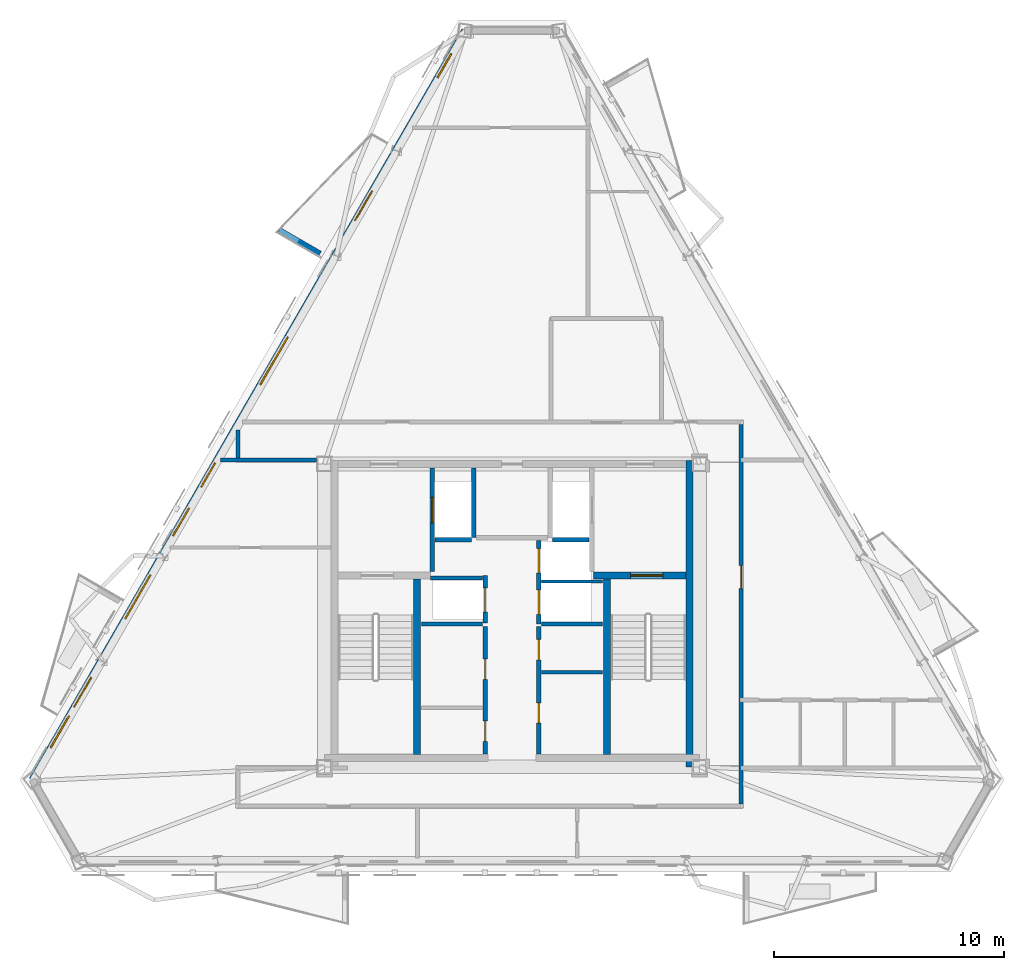
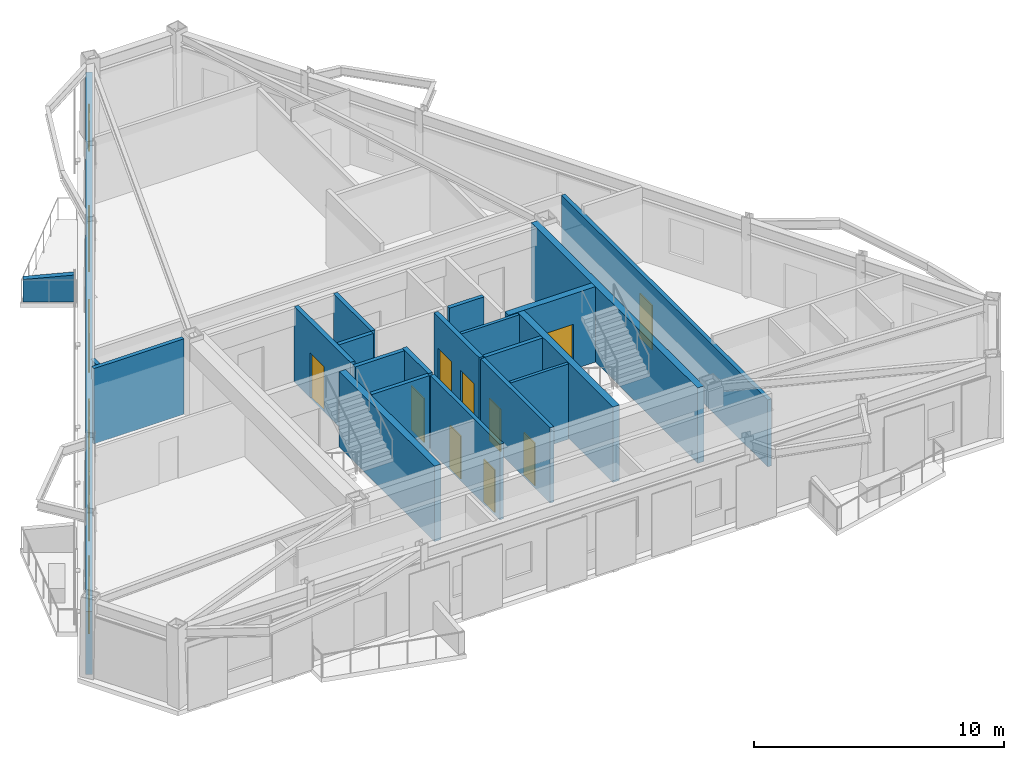
# One storey, part 3 of 9: 22 walls, 12 doors, 6 windows, 18 openings.
"""IFC4 building model written with IfcOpenShell, lengths in metres."""

from ifc_helpers import new_model, si_unit, direction, frame, frame_2d, origin, place, context, subcontext, project, spatial, polyline, rectangle, outline, extrude, material, layer, layer_set, type_object, element, fill, save


model = new_model("IFC4")

# Units and contexts
model_context = context("Model", 3, precision=1e-05, world=origin(), true_north=direction((0.0, 1.0)))
body_context = subcontext(model_context, "Body", "Model", "MODEL_VIEW")
ifc_project = project(units=[si_unit("LENGTHUNIT", "METRE"), si_unit("AREAUNIT", "SQUARE_METRE"), si_unit("VOLUMEUNIT", "CUBIC_METRE"), si_unit("PLANEANGLEUNIT", "RADIAN"), si_unit("MASSUNIT", "GRAM", prefix="KILO")], contexts=[model_context])

# Site, building, storey
site_placement = place(None, origin())
site = spatial("IfcSite", under=ifc_project, at=site_placement, CompositionType="ELEMENT")
building_placement = place(site_placement, origin())
building = spatial("IfcBuilding", under=site, at=building_placement, Name="Oramaril Tower", CompositionType="ELEMENT")
storey_placement = place(building_placement, frame((0.0, 0.0, 292.800048828125)))
storey = spatial("IfcBuildingStorey", under=building, at=storey_placement, Name="L77", CompositionType="ELEMENT", Elevation=292.800048828125)

# Wall, openings, doors, windows
ifc_material_1 = material(Name="Warm Cream Limestone", Category="masonry")
ifc_layer_1 = layer(ifc_material_1, 0.2900390625)
ifc_layer_set_1 = layer_set([ifc_layer_1], Name="WT-EXT29")
wall_type_1 = type_object("IfcWallType", Name="WT-EXT29", PredefinedType="SOLIDWALL", material=ifc_layer_set_1)
wall_1_placement = place(storey_placement, frame((35.44775390625, 42.97607421875, 0.0), z_axis=(0.0, 0.0, 1.0), x_axis=(-0.499999767403, -0.866025538074, 0.0)))
wall_1 = element("IfcWall", 1, at=wall_1_placement, inside=storey, type_object=wall_type_1, Name="L77 Tower Limestone Facade Wall 6M", PredefinedType="SOLIDWALL", context=body_context, shape_type="SweptSolid", body=[
    extrude(rectangle(XDim=37.5703125, YDim=0.2900390625, at=frame_2d((18.78515625, 0.0))), origin(), (0.0, 0.0, 1.0), 3.057861328125),
])
opening_1_placement = place(wall_1_placement, frame((8.034423828125, 0.0, 0.0)))
opening_1 = element("IfcOpeningElement", 2, at=opening_1_placement, cuts=wall_1, Name="Opening D-L77-BAL-NW1", PredefinedType="OPENING", context=body_context, shape_type="SweptSolid", body=[
    extrude(rectangle(XDim=1.5, YDim=2.199951171875, at=frame_2d((0.75, 1.10009765625))), frame((0.0, 0.14501953125, 0.0), z_axis=(0.0, -1.0, 0.0), x_axis=(1.0, 0.0, 0.0)), (0.0, 0.0, 1.0), 0.2900390625),
])
opening_2_placement = place(wall_1_placement, frame((32.430908203125, 0.0, 0.0)))
opening_2 = element("IfcOpeningElement", 3, at=opening_2_placement, cuts=wall_1, Name="Opening D-L77-BAL-NW2", PredefinedType="OPENING", context=body_context, shape_type="SweptSolid", body=[
    extrude(rectangle(XDim=1.5, YDim=2.199951171875, at=frame_2d((0.75, 1.10009765625))), frame((0.0, 0.14501953125, 0.0), z_axis=(0.0, -1.0, 0.0), x_axis=(1.0, 0.0, 0.0)), (0.0, 0.0, 1.0), 0.2900390625),
])
opening_3_placement = place(wall_1_placement, frame((27.302001953125, 0.0, 0.85009765625)))
opening_3 = element("IfcOpeningElement", 4, at=opening_3_placement, cuts=wall_1, Name="Opening WN-04", PredefinedType="OPENING", context=body_context, shape_type="SweptSolid", body=[
    extrude(rectangle(XDim=2.199951171875, YDim=1.85009765625, at=frame_2d((1.10009765625, 0.925048828125))), frame((0.0, 0.14501953125, 0.0), z_axis=(0.0, -1.0, 0.0), x_axis=(1.0, 0.0, 0.0)), (0.0, 0.0, 1.0), 0.2900390625),
])
opening_4_placement = place(wall_1_placement, frame((34.36669921875, 0.0, 0.85009765625)))
opening_4 = element("IfcOpeningElement", 5, at=opening_4_placement, cuts=wall_1, Name="Opening WN-07", PredefinedType="OPENING", context=body_context, shape_type="SweptSolid", body=[
    extrude(rectangle(XDim=1.60009765625, YDim=1.699951171875, at=frame_2d((0.800048828125, 0.85009765625))), frame((0.0, 0.14501953125, 0.0), z_axis=(0.0, -1.0, 0.0), x_axis=(1.0, 0.0, 0.0)), (0.0, 0.0, 1.0), 0.2900390625),
])
opening_5_placement = place(wall_1_placement, frame((21.687744140625, 0.0, 0.85009765625)))
opening_5 = element("IfcOpeningElement", 6, at=opening_5_placement, cuts=wall_1, Name="Opening WN-09", PredefinedType="OPENING", context=body_context, shape_type="SweptSolid", body=[
    extrude(rectangle(XDim=1.199951171875, YDim=1.47998046875, at=frame_2d((0.60009765625, 0.739990234375))), frame((0.0, 0.14501953125, 0.0), z_axis=(0.0, -1.0, 0.0), x_axis=(1.0, 0.0, 0.0)), (0.0, 0.0, 1.0), 0.2900390625),
])
opening_6_placement = place(wall_1_placement, frame((23.938232421875, 0.0, 0.85009765625)))
opening_6 = element("IfcOpeningElement", 7, at=opening_6_placement, cuts=wall_1, Name="Opening WN-08", PredefinedType="OPENING", context=body_context, shape_type="SweptSolid", body=[
    extrude(rectangle(XDim=1.39990234375, YDim=1.60009765625, at=frame_2d((0.699951171875, 0.800048828125))), frame((0.0, 0.14501953125, 0.0), z_axis=(0.0, -1.0, 0.0), x_axis=(1.0, 0.0, 0.0)), (0.0, 0.0, 1.0), 0.2900390625),
])
opening_7_placement = place(wall_1_placement, frame((15.36279296875, 0.0, 0.85009765625)))
opening_7 = element("IfcOpeningElement", 8, at=opening_7_placement, cuts=wall_1, Name="Opening WN-03", PredefinedType="OPENING", context=body_context, shape_type="SweptSolid", body=[
    extrude(rectangle(XDim=2.39990234375, YDim=1.89990234375, at=frame_2d((1.199951171875, 0.949951171875))), frame((0.0, 0.14501953125, 0.0), z_axis=(0.0, -1.0, 0.0), x_axis=(1.0, 0.0, 0.0)), (0.0, 0.0, 1.0), 0.2900390625),
])
opening_8_placement = place(wall_1_placement, frame((1.1650390625, 0.0, 0.85009765625)))
opening_8 = element("IfcOpeningElement", 9, at=opening_8_placement, cuts=wall_1, Name="Opening WN-09", PredefinedType="OPENING", context=body_context, shape_type="SweptSolid", body=[
    extrude(rectangle(XDim=1.199951171875, YDim=1.47998046875, at=frame_2d((0.60009765625, 0.739990234375))), frame((0.0, 0.14501953125, 0.0), z_axis=(0.0, -1.0, 0.0), x_axis=(1.0, 0.0, 0.0)), (0.0, 0.0, 1.0), 0.2900390625),
])
ifc_material_2 = material(Name="Anodised Aluminium 6063-T6", Category="aluminium")
door_type_1 = type_object("IfcDoorType", Name="DT-BAL", OperationType="NOTDEFINED", PredefinedType="DOOR", material=ifc_material_2)
door_1_placement = place(opening_1_placement, origin())
door_1 = element("IfcDoor", 10, at=door_1_placement, inside=storey, type_object=door_type_1, Name="L77 Balcony Glazed Door L77-BAL-NW1", OperationType="SINGLE_SWING_RIGHT", OverallHeight=2.199951171875, OverallWidth=1.5, PredefinedType="DOOR", context=body_context, shape_type="SweptSolid", body=[
    extrude(rectangle(XDim=1.5, YDim=2.199951171875, at=frame_2d((0.75, 1.10009765625))), frame((0.0, 0.02490234375, 0.0), z_axis=(0.0, -1.0, 0.0), x_axis=(1.0, 0.0, 0.0)), (0.0, 0.0, 1.0), 0.050048828125),
])
fill(opening_1, door_1)
door_2_placement = place(opening_2_placement, origin())
door_2 = element("IfcDoor", 11, at=door_2_placement, inside=storey, type_object=door_type_1, Name="L77 Balcony Glazed Door L77-BAL-NW2", OperationType="SINGLE_SWING_LEFT", OverallHeight=2.199951171875, OverallWidth=1.5, PredefinedType="DOOR", context=body_context, shape_type="SweptSolid", body=[
    extrude(rectangle(XDim=1.5, YDim=2.199951171875, at=frame_2d((0.75, 1.10009765625))), frame((0.0, 0.02490234375, 0.0), z_axis=(0.0, -1.0, 0.0), x_axis=(1.0, 0.0, 0.0)), (0.0, 0.0, 1.0), 0.050048828125),
])
fill(opening_2, door_2)
ifc_material_3 = material(Name="Coastal Low-E Insulated Glass", Category="glass")
window_type_1 = type_object("IfcWindowType", Name="WNT-03", PartitioningType="SINGLE_PANEL", PredefinedType="WINDOW", material=ifc_material_3)
window_1_placement = place(opening_7_placement, origin())
window_1 = element("IfcWindow", 12, at=window_1_placement, inside=storey, type_object=window_type_1, Name="L77 Chicago Bay Window WN-03", OverallHeight=1.89990234375, OverallWidth=2.39990234375, PartitioningType="SINGLE_PANEL", PredefinedType="WINDOW", context=body_context, shape_type="SweptSolid", body=[
    extrude(rectangle(XDim=2.39990234375, YDim=1.89990234375, at=frame_2d((1.199951171875, 0.949951171875))), frame((0.0, 0.030029296875, 0.0), z_axis=(0.0, -1.0, 0.0), x_axis=(1.0, 0.0, 0.0)), (0.0, 0.0, 1.0), 0.06005859375),
])
fill(opening_7, window_1)
ifc_material_4 = material(Name="Coastal Low-E Insulated Glass", Category="glass")
window_type_2 = type_object("IfcWindowType", Name="WNT-04", PartitioningType="SINGLE_PANEL", PredefinedType="WINDOW", material=ifc_material_4)
window_2_placement = place(opening_3_placement, origin())
window_2 = element("IfcWindow", 13, at=window_2_placement, inside=storey, type_object=window_type_2, Name="L77 Chicago Bay Window WN-04", OverallHeight=1.85009765625, OverallWidth=2.199951171875, PartitioningType="SINGLE_PANEL", PredefinedType="WINDOW", context=body_context, shape_type="SweptSolid", body=[
    extrude(rectangle(XDim=2.199951171875, YDim=1.85009765625, at=frame_2d((1.10009765625, 0.925048828125))), frame((0.0, 0.030029296875, 0.0), z_axis=(0.0, -1.0, 0.0), x_axis=(1.0, 0.0, 0.0)), (0.0, 0.0, 1.0), 0.06005859375),
])
fill(opening_3, window_2)
ifc_material_5 = material(Name="Coastal Low-E Insulated Glass", Category="glass")
window_type_3 = type_object("IfcWindowType", Name="WNT-07", PartitioningType="SINGLE_PANEL", PredefinedType="WINDOW", material=ifc_material_5)
window_3_placement = place(opening_4_placement, origin())
window_3 = element("IfcWindow", 14, at=window_3_placement, inside=storey, type_object=window_type_3, Name="L77 Chicago Bay Window WN-07", OverallHeight=1.699951171875, OverallWidth=1.60009765625, PartitioningType="SINGLE_PANEL", PredefinedType="WINDOW", context=body_context, shape_type="SweptSolid", body=[
    extrude(rectangle(XDim=1.60009765625, YDim=1.699951171875, at=frame_2d((0.800048828125, 0.85009765625))), frame((0.0, 0.030029296875, 0.0), z_axis=(0.0, -1.0, 0.0), x_axis=(1.0, 0.0, 0.0)), (0.0, 0.0, 1.0), 0.06005859375),
])
fill(opening_4, window_3)
ifc_material_6 = material(Name="Coastal Low-E Insulated Glass", Category="glass")
window_type_4 = type_object("IfcWindowType", Name="WNT-08", PartitioningType="SINGLE_PANEL", PredefinedType="WINDOW", material=ifc_material_6)
window_4_placement = place(opening_6_placement, origin())
window_4 = element("IfcWindow", 15, at=window_4_placement, inside=storey, type_object=window_type_4, Name="L77 Chicago Bay Window WN-08", OverallHeight=1.60009765625, OverallWidth=1.39990234375, PartitioningType="SINGLE_PANEL", PredefinedType="WINDOW", context=body_context, shape_type="SweptSolid", body=[
    extrude(rectangle(XDim=1.39990234375, YDim=1.60009765625, at=frame_2d((0.699951171875, 0.800048828125))), frame((0.0, 0.030029296875, 0.0), z_axis=(0.0, -1.0, 0.0), x_axis=(1.0, 0.0, 0.0)), (0.0, 0.0, 1.0), 0.06005859375),
])
fill(opening_6, window_4)
ifc_material_7 = material(Name="Coastal Low-E Insulated Glass", Category="glass")
window_type_5 = type_object("IfcWindowType", Name="WNT-09", PartitioningType="SINGLE_PANEL", PredefinedType="WINDOW", material=ifc_material_7)
window_5_placement = place(opening_5_placement, origin())
window_5 = element("IfcWindow", 16, at=window_5_placement, inside=storey, type_object=window_type_5, Name="L77 Chicago Bay Window WN-09", OverallHeight=1.47998046875, OverallWidth=1.199951171875, PartitioningType="SINGLE_PANEL", PredefinedType="WINDOW", context=body_context, shape_type="SweptSolid", body=[
    extrude(rectangle(XDim=1.199951171875, YDim=1.47998046875, at=frame_2d((0.60009765625, 0.739990234375))), frame((0.0, 0.030029296875, 0.0), z_axis=(0.0, -1.0, 0.0), x_axis=(1.0, 0.0, 0.0)), (0.0, 0.0, 1.0), 0.06005859375),
])
fill(opening_5, window_5)
window_6_placement = place(opening_8_placement, origin())
window_6 = element("IfcWindow", 17, at=window_6_placement, inside=storey, type_object=window_type_5, Name="L77 Chicago Bay Window WN-09", OverallHeight=1.47998046875, OverallWidth=1.199951171875, PartitioningType="SINGLE_PANEL", PredefinedType="WINDOW", context=body_context, shape_type="SweptSolid", body=[
    extrude(rectangle(XDim=1.199951171875, YDim=1.47998046875, at=frame_2d((0.60009765625, 0.739990234375))), frame((0.0, 0.030029296875, 0.0), z_axis=(0.0, -1.0, 0.0), x_axis=(1.0, 0.0, 0.0)), (0.0, 0.0, 1.0), 0.06005859375),
])
fill(opening_8, window_6)

# Walls
ifc_material_8 = material(Name="Concrete C40/50", Category="concrete")
ifc_layer_2 = layer(ifc_material_8, 0.22998046875)
ifc_layer_set_2 = layer_set([ifc_layer_2], Name="WT-PRP23")
wall_type_2 = type_object("IfcWallType", Name="WT-PRP23", PredefinedType="PARAPET", material=ifc_layer_set_2)
wall_2_placement = place(storey_placement, frame((29.1650390625, 33.290283203125, 0.0), z_axis=(0.0, 0.0, 1.0), x_axis=(-0.866012356593, 0.500022597718, 0.0)))
element("IfcWall", 18, at=wall_2_placement, inside=storey, type_object=wall_type_2, Name="L77 Trapezoidal Balcony Frame Cheek L77-BAL-NW1-R", PredefinedType="PARAPET", context=body_context, shape_type="SweptSolid", body=[
    extrude(outline(polyline([(0.0, 0.0), (2.0419921875, 0.0), (2.0419921875, 1.099853515625), (0.0, 1.320068359375), (0.0, 0.0)])), frame((0.0, 0.114990234375, 0.0), z_axis=(0.0, -1.0, 0.0), x_axis=(1.0, 0.0, 0.0)), (0.0, 0.0, 1.0), 0.22998046875),
])
ifc_material_9 = material(Name="Acoustic Gypsum Board Partition")
ifc_layer_3 = layer(ifc_material_9, 0.139892578125)
ifc_layer_set_3 = layer_set([ifc_layer_3], Name="WT-PT14")
wall_type_3 = type_object("IfcWallType", Name="WT-PT14", PredefinedType="PARTITIONING", material=ifc_layer_set_3)
for number, where, z_axis, x_axis, name in (
    (19, (38.780029296875, 19.050048828125, 0.0), (0.0, 0.0, 1.0), (1.0, 0.0, 0.0), "L77 High-Rise Lift H2-H3 Divider"),
    (20, (38.780029296875, 15.110107421875, 0.0), (0.0, 0.0, 1.0), (1.0, 0.0, 0.0), "L77 Freed Shaft Divider"),
):
    element("IfcWall", number, at=place(storey_placement, frame(where, z_axis=z_axis, x_axis=x_axis)), inside=storey, type_object=wall_type_3, Name=name, PredefinedType="PARTITIONING", context=body_context, shape_type="SweptSolid", body=[
        extrude(rectangle(XDim=2.659912109375, YDim=0.139892578125, at=frame_2d((1.330078125, 0.0))), origin(), (0.0, 0.0, 1.0), 3.679931640625),
    ])
ifc_material_10 = material(Name="Autoclaved Cellular Concrete Block", Category="concrete")
ifc_layer_4 = layer(ifc_material_10, 0.179931640625)
ifc_layer_set_4 = layer_set([ifc_layer_4], Name="WT-PT18")
wall_type_4 = type_object("IfcWallType", Name="WT-PT18", PredefinedType="PARTITIONING", material=ifc_layer_set_4)
wall_3_placement = place(storey_placement, frame((35.840087890625, 20.9599609375, 0.0), z_axis=(0.0, 0.0, 1.0), x_axis=(0.0, 1.0, 0.0)))
element("IfcWall", 21, at=wall_3_placement, inside=storey, type_object=wall_type_4, Name="L77 FL-1 East Shaft Wall", PredefinedType="PARTITIONING", context=body_context, shape_type="SweptSolid", body=[
    extrude(rectangle(XDim=3.02001953125, YDim=0.179931640625, at=frame_2d((1.510009765625, 0.0))), origin(), (0.0, 0.0, 1.0), 3.679931640625),
])
for number, where, z_axis, x_axis, name in (
    (22, (34.159912109375, 20.860107421875, 0.0), (0.0, 0.0, 1.0), (1.0, 0.0, 0.0), "L77 FL-1 South Shaft Wall"),
    (23, (39.260009765625, 20.860107421875, 0.0), (0.0, 0.0, 1.0), (1.0, 0.0, 0.0), "L77 FL-2 South Shaft Wall"),
):
    element("IfcWall", number, at=place(storey_placement, frame(where, z_axis=z_axis, x_axis=x_axis)), inside=storey, type_object=wall_type_4, Name=name, PredefinedType="PARTITIONING", context=body_context, shape_type="SweptSolid", body=[
        extrude(rectangle(XDim=1.580078125, YDim=0.179931640625, at=frame_2d((0.7900390625, 0.0))), origin(), (0.0, 0.0, 1.0), 3.679931640625),
    ])
wall_4_placement = place(storey_placement, frame((33.949951171875, 19.199951171875, 0.0), z_axis=(0.0, 0.0, 1.0), x_axis=(1.0, 0.0, 0.0)))
element("IfcWall", 24, at=wall_4_placement, inside=storey, type_object=wall_type_4, Name="L77 High-Rise Lift H1 North Shaft Wall", PredefinedType="PARTITIONING", context=body_context, shape_type="SweptSolid", body=[
    extrude(rectangle(XDim=2.27001953125, YDim=0.179931640625, at=frame_2d((1.135009765625, 0.0))), origin(), (0.0, 0.0, 1.0), 3.679931640625),
])
wall_5_placement = place(storey_placement, frame((33.56005859375, 17.199951171875, 0.0), z_axis=(0.0, 0.0, 1.0), x_axis=(1.0, 0.0, 0.0)))
element("IfcWall", 25, at=wall_5_placement, inside=storey, type_object=wall_type_4, Name="L77 High-Rise Lift H1 South Wall", PredefinedType="PARTITIONING", context=body_context, shape_type="SweptSolid", body=[
    extrude(rectangle(XDim=2.659912109375, YDim=0.179931640625, at=frame_2d((1.330078125, 0.0))), origin(), (0.0, 0.0, 1.0), 3.679931640625),
])

# Wall, openings, doors
wall_6_placement = place(storey_placement, frame((36.340087890625, 11.550048828125, 0.0), z_axis=(0.0, 0.0, 1.0), x_axis=(0.0, 1.0, 0.0)))
wall_6 = element("IfcWall", 26, at=wall_6_placement, inside=storey, type_object=wall_type_4, Name="L77 Freed Shaft Study East Wall", PredefinedType="PARTITIONING", context=body_context, shape_type="SweptSolid", body=[
    extrude(rectangle(XDim=5.550048828125, YDim=0.179931640625, at=frame_2d((2.77490234375, 0.0))), origin(), (0.0, 0.0, 1.0), 3.679931640625),
])
opening_9_placement = place(wall_6_placement, frame((0.550048828125, 0.0, 0.0)))
opening_9 = element("IfcOpeningElement", 27, at=opening_9_placement, cuts=wall_6, Name="Opening D-L77-FL1", PredefinedType="OPENING", context=body_context, shape_type="SweptSolid", body=[
    extrude(rectangle(XDim=0.8798828125, YDim=2.080078125, at=frame_2d((0.43994140625, 1.0400390625))), frame((0.0, 0.08984375, 0.0), z_axis=(0.0, -1.0, 0.0), x_axis=(1.0, 0.0, 0.0)), (0.0, 0.0, 1.0), 0.179931640625),
])
opening_10_placement = place(wall_6_placement, frame((3.25, 0.0, 0.0)))
opening_10 = element("IfcOpeningElement", 28, at=opening_10_placement, cuts=wall_6, Name="Opening D-L77-FL2", PredefinedType="OPENING", context=body_context, shape_type="SweptSolid", body=[
    extrude(rectangle(XDim=0.8798828125, YDim=2.080078125, at=frame_2d((0.43994140625, 1.0400390625))), frame((0.0, 0.08984375, 0.0), z_axis=(0.0, -1.0, 0.0), x_axis=(1.0, 0.0, 0.0)), (0.0, 0.0, 1.0), 0.179931640625),
])
ifc_material_11 = material(Name="FSC Brazilian Freijo Hardwood", Category="wood")
door_type_2 = type_object("IfcDoorType", Name="DT-BATH", OperationType="NOTDEFINED", PredefinedType="DOOR", material=ifc_material_11)
door_3_placement = place(opening_9_placement, origin())
door_3 = element("IfcDoor", 29, at=door_3_placement, inside=storey, type_object=door_type_2, Name="L77 L77 Residents Tasting Dining Nook Door", OperationType="SINGLE_SWING_LEFT", OverallHeight=2.080078125, OverallWidth=0.8798828125, PredefinedType="DOOR", context=body_context, shape_type="SweptSolid", body=[
    extrude(rectangle(XDim=0.8798828125, YDim=2.080078125, at=frame_2d((0.43994140625, 1.0400390625))), frame((0.0, 0.02490234375, 0.0), z_axis=(0.0, -1.0, 0.0), x_axis=(1.0, 0.0, 0.0)), (0.0, 0.0, 1.0), 0.050048828125),
])
fill(opening_9, door_3)
door_4_placement = place(opening_10_placement, origin())
door_4 = element("IfcDoor", 30, at=door_4_placement, inside=storey, type_object=door_type_2, Name="L77 L77 Floor Co-Work Office Door", OperationType="SINGLE_SWING_RIGHT", OverallHeight=2.080078125, OverallWidth=0.8798828125, PredefinedType="DOOR", context=body_context, shape_type="SweptSolid", body=[
    extrude(rectangle(XDim=0.8798828125, YDim=2.080078125, at=frame_2d((0.43994140625, 1.0400390625))), frame((0.0, 0.02490234375, 0.0), z_axis=(0.0, -1.0, 0.0), x_axis=(1.0, 0.0, 0.0)), (0.0, 0.0, 1.0), 0.050048828125),
])
fill(opening_10, door_4)

# Wall
wall_7_placement = place(storey_placement, frame((38.780029296875, 17.199951171875, 0.0), z_axis=(0.0, 0.0, 1.0), x_axis=(1.0, 0.0, 0.0)))
element("IfcWall", 31, at=wall_7_placement, inside=storey, type_object=wall_type_4, Name="L77 High-Rise Lift H2 South Wall", PredefinedType="PARTITIONING", context=body_context, shape_type="SweptSolid", body=[
    extrude(rectangle(XDim=2.659912109375, YDim=0.179931640625, at=frame_2d((1.330078125, 0.0))), origin(), (0.0, 0.0, 1.0), 3.679931640625),
])

# Wall, openings, doors
wall_8_placement = place(storey_placement, frame((38.659912109375, 11.550048828125, 0.0), z_axis=(0.0, 0.0, 1.0), x_axis=(0.0, 1.0, 0.0)))
wall_8 = element("IfcWall", 32, at=wall_8_placement, inside=storey, type_object=wall_type_4, Name="L77 Freed Shaft Alcove West Wall", PredefinedType="PARTITIONING", context=body_context, shape_type="SweptSolid", body=[
    extrude(rectangle(XDim=5.550048828125, YDim=0.179931640625, at=frame_2d((2.77490234375, 0.0))), origin(), (0.0, 0.0, 1.0), 3.679931640625),
])
opening_11_placement = place(wall_8_placement, frame((1.35009765625, 0.0, 0.0)))
opening_11 = element("IfcOpeningElement", 33, at=opening_11_placement, cuts=wall_8, Name="Opening D-L77-FM1", PredefinedType="OPENING", context=body_context, shape_type="SweptSolid", body=[
    extrude(rectangle(XDim=0.8798828125, YDim=2.080078125, at=frame_2d((0.43994140625, 1.0400390625))), frame((0.0, 0.08984375, 0.0), z_axis=(0.0, -1.0, 0.0), x_axis=(1.0, 0.0, 0.0)), (0.0, 0.0, 1.0), 0.179931640625),
])
opening_12_placement = place(wall_8_placement, frame((4.10009765625, 0.0, 0.0)))
opening_12 = element("IfcOpeningElement", 34, at=opening_12_placement, cuts=wall_8, Name="Opening D-L77-FM2", PredefinedType="OPENING", context=body_context, shape_type="SweptSolid", body=[
    extrude(rectangle(XDim=0.8798828125, YDim=2.080078125, at=frame_2d((0.43994140625, 1.0400390625))), frame((0.0, 0.08984375, 0.0), z_axis=(0.0, -1.0, 0.0), x_axis=(1.0, 0.0, 0.0)), (0.0, 0.0, 1.0), 0.179931640625),
])
door_5_placement = place(opening_11_placement, origin())
door_5 = element("IfcDoor", 35, at=door_5_placement, inside=storey, type_object=door_type_2, Name="L77 L77 Private Home Office Door", OperationType="SINGLE_SWING_RIGHT", OverallHeight=2.080078125, OverallWidth=0.8798828125, PredefinedType="DOOR", context=body_context, shape_type="SweptSolid", body=[
    extrude(rectangle(XDim=0.8798828125, YDim=2.080078125, at=frame_2d((0.43994140625, 1.0400390625))), frame((0.0, 0.02490234375, 0.0), z_axis=(0.0, -1.0, 0.0), x_axis=(1.0, 0.0, 0.0)), (0.0, 0.0, 1.0), 0.050048828125),
])
fill(opening_11, door_5)
door_6_placement = place(opening_12_placement, origin())
door_6 = element("IfcDoor", 36, at=door_6_placement, inside=storey, type_object=door_type_2, Name="L77 L77 Sky Tea Dining Alcove Door", OperationType="SINGLE_SWING_LEFT", OverallHeight=2.080078125, OverallWidth=0.8798828125, PredefinedType="DOOR", context=body_context, shape_type="SweptSolid", body=[
    extrude(rectangle(XDim=0.8798828125, YDim=2.080078125, at=frame_2d((0.43994140625, 1.0400390625))), frame((0.0, 0.02490234375, 0.0), z_axis=(0.0, -1.0, 0.0), x_axis=(1.0, 0.0, 0.0)), (0.0, 0.0, 1.0), 0.050048828125),
])
fill(opening_12, door_6)

# Walls
wall_9_placement = place(storey_placement, frame((24.8486328125, 24.320068359375, 0.0), z_axis=(0.0, 0.0, 1.0), x_axis=(1.0, 0.0, 0.0)))
element("IfcWall", 37, at=wall_9_placement, inside=storey, type_object=wall_type_4, Name="L77 Interior Partition PT-18", PredefinedType="PARTITIONING", context=body_context, shape_type="SweptSolid", body=[
    extrude(rectangle(XDim=4.161376953125, YDim=0.179931640625, at=frame_2d((2.08056640625, 0.0))), origin(), (0.0, 0.0, 1.0), 3.679931640625),
])
wall_10_placement = place(storey_placement, frame((25.60009765625, 24.4140625, 0.0), z_axis=(0.0, 0.0, 1.0), x_axis=(0.0, 1.0, 0.0)))
element("IfcWall", 38, at=wall_10_placement, inside=storey, type_object=wall_type_4, Name="L77 Interior Partition PT-18", PredefinedType="PARTITIONING", context=body_context, shape_type="SweptSolid", body=[
    extrude(rectangle(XDim=1.207275390625, YDim=0.179931640625, at=frame_2d((0.603515625, 0.0))), origin(), (0.0, 0.0, 1.0), 3.057861328125),
])

# Wall, opening, door
wall_11_placement = place(storey_placement, frame((47.449951171875, 9.39404296875, 0.0), z_axis=(0.0, 0.0, 1.0), x_axis=(0.0, 1.0, 0.0)))
wall_11 = element("IfcWall", 39, at=wall_11_placement, inside=storey, type_object=wall_type_4, Name="L77 Interior Partition PT-18", PredefinedType="PARTITIONING", context=body_context, shape_type="SweptSolid", body=[
    extrude(rectangle(XDim=16.48193359375, YDim=0.179931640625, at=frame_2d((8.240966796875, 0.0))), origin(), (0.0, 0.0, 1.0), 3.265869140625),
])
opening_13_placement = place(wall_11_placement, frame((9.343017578125, 0.0, 0.0)))
opening_13 = element("IfcOpeningElement", 40, at=opening_13_placement, cuts=wall_11, Name="Opening D-L77-14", PredefinedType="OPENING", context=body_context, shape_type="SweptSolid", body=[
    extrude(rectangle(XDim=1.0, YDim=2.179931640625, at=frame_2d((0.5, 1.08984375))), frame((0.0, 0.08984375, 0.0), z_axis=(0.0, -1.0, 0.0), x_axis=(1.0, 0.0, 0.0)), (0.0, 0.0, 1.0), 0.179931640625),
])
ifc_material_12 = material(Name="FSC Brazilian Freijo Hardwood", Category="wood")
door_type_3 = type_object("IfcDoorType", Name="DT-APT", OperationType="NOTDEFINED", PredefinedType="DOOR", material=ifc_material_12)
door_7_placement = place(opening_13_placement, origin())
door_7 = element("IfcDoor", 41, at=door_7_placement, inside=storey, type_object=door_type_3, Name="L77 Flat L77-U3 Studio Apartment Door D-L77-14", OperationType="SINGLE_SWING_LEFT", OverallHeight=2.179931640625, OverallWidth=1.0, PredefinedType="DOOR", context=body_context, shape_type="SweptSolid", body=[
    extrude(rectangle(XDim=1.0, YDim=2.179931640625, at=frame_2d((0.5, 1.08984375))), frame((0.0, 0.02490234375, 0.0), z_axis=(0.0, -1.0, 0.0), x_axis=(1.0, 0.0, 0.0)), (0.0, 0.0, 1.0), 0.050048828125),
])
fill(opening_13, door_7)

# Wall
ifc_material_13 = material(Name="Concrete C50/60", Category="concrete")
ifc_layer_5 = layer(ifc_material_13, 0.300048828125)
ifc_layer_set_5 = layer_set([ifc_layer_5], Name="WT-SH30")
wall_type_5 = type_object("IfcWallType", Name="WT-SH30", PredefinedType="SHEAR", material=ifc_layer_set_5)
wall_12_placement = place(storey_placement, frame((45.2099609375, 11.0, 0.0), z_axis=(0.0, 0.0, 1.0), x_axis=(0.0, 1.0, 0.0)))
element("IfcWall", 42, at=wall_12_placement, inside=storey, type_object=wall_type_5, Name="L77 Core Shear Wall CW-E", PredefinedType="SHEAR", context=body_context, shape_type="SweptSolid", body=[
    extrude(rectangle(XDim=13.300048828125, YDim=0.300048828125, at=frame_2d((6.64990234375, 0.0))), origin(), (0.0, 0.0, 1.0), 3.679931640625),
])

# Wall, opening, door
wall_13_placement = place(storey_placement, frame((41.050048828125, 19.31005859375, 0.0), z_axis=(0.0, 0.0, 1.0), x_axis=(1.0, 0.0, 0.0)))
wall_13 = element("IfcWall", 43, at=wall_13_placement, inside=storey, type_object=wall_type_5, Name="L77 Core Shear Wall CW-ST2N", PredefinedType="SHEAR", context=body_context, shape_type="SweptSolid", body=[
    extrude(rectangle(XDim=4.010009765625, YDim=0.300048828125, at=frame_2d((2.0048828125, 0.0))), origin(), (0.0, 0.0, 1.0), 3.679931640625),
])
opening_14_placement = place(wall_13_placement, frame((1.60009765625, 0.0, 0.0)))
opening_14 = element("IfcOpeningElement", 44, at=opening_14_placement, cuts=wall_13, Name="Opening D-L77-ST2", PredefinedType="OPENING", context=body_context, shape_type="SweptSolid", body=[
    extrude(rectangle(XDim=1.39990234375, YDim=2.199951171875, at=frame_2d((0.699951171875, 1.10009765625))), frame((0.0, 0.14990234375, 0.0), z_axis=(0.0, -1.0, 0.0), x_axis=(1.0, 0.0, 0.0)), (0.0, 0.0, 1.0), 0.300048828125),
])
ifc_material_14 = material(Name="Painted Galvanised Steel", Category="steel")
door_type_4 = type_object("IfcDoorType", Name="DT-ST", OperationType="NOTDEFINED", PredefinedType="DOOR", material=ifc_material_14)
door_8_placement = place(opening_14_placement, origin())
door_8 = element("IfcDoor", 45, at=door_8_placement, inside=storey, type_object=door_type_4, Name="L77 Protected Stair ST-2 Fire Door", OperationType="SINGLE_SWING_RIGHT", OverallHeight=2.199951171875, OverallWidth=1.39990234375, PredefinedType="DOOR", context=body_context, shape_type="SweptSolid", body=[
    extrude(rectangle(XDim=1.39990234375, YDim=2.199951171875, at=frame_2d((0.699951171875, 1.10009765625))), frame((0.0, 0.02490234375, 0.0), z_axis=(0.0, -1.0, 0.0), x_axis=(1.0, 0.0, 0.0)), (0.0, 0.0, 1.0), 0.050048828125),
])
fill(opening_14, door_8)

# Walls
for number, where, z_axis, x_axis, name in (
    (46, (33.3798828125, 11.5400390625, 0.0), (0.0, 0.0, 1.0), (0.0, 1.0, 0.0), "L77 Core Shear Wall CW-ST1E"),
    (47, (41.6201171875, 11.5400390625, 0.0), (0.0, 0.0, 1.0), (0.0, 1.0, 0.0), "L77 Core Shear Wall CW-ST2W"),
):
    element("IfcWall", number, at=place(storey_placement, frame(where, z_axis=z_axis, x_axis=x_axis)), inside=storey, type_object=wall_type_5, Name=name, PredefinedType="SHEAR", context=body_context, shape_type="SweptSolid", body=[
        extrude(rectangle(XDim=7.619873046875, YDim=0.300048828125, at=frame_2d((3.81005859375, 0.0))), origin(), (0.0, 0.0, 1.0), 3.679931640625),
    ])

# Wall, opening, door
ifc_material_15 = material(Name="Autoclaved Cellular Concrete Block", Category="concrete")
ifc_layer_6 = layer(ifc_material_15, 0.199951171875)
ifc_layer_set_6 = layer_set([ifc_layer_6], Name="WT-SHF20")
wall_type_6 = type_object("IfcWallType", Name="WT-SHF20", PredefinedType="PARTITIONING", material=ifc_layer_set_6)
wall_14_placement = place(storey_placement, frame((34.0400390625, 19.47998046875, 0.0), z_axis=(0.0, 0.0, 1.0), x_axis=(0.0, 1.0, 0.0)))
wall_14 = element("IfcWall", 48, at=wall_14_placement, inside=storey, type_object=wall_type_6, Name="L77 FL-1 Lobby Shaft Wall", PredefinedType="PARTITIONING", context=body_context, shape_type="SweptSolid", body=[
    extrude(rectangle(XDim=4.5, YDim=0.199951171875, at=frame_2d((2.25, 0.0))), origin(), (0.0, 0.0, 1.0), 3.679931640625),
])
opening_15_placement = place(wall_14_placement, frame((2.1201171875, 0.0, 0.0)))
opening_15 = element("IfcOpeningElement", 49, at=opening_15_placement, cuts=wall_14, Name="Opening LD-L77-FL-1", PredefinedType="OPENING", context=body_context, shape_type="SweptSolid", body=[
    extrude(rectangle(XDim=1.10009765625, YDim=2.199951171875, at=frame_2d((0.550048828125, 1.10009765625))), frame((0.0, 0.10009765625, 0.0), z_axis=(0.0, -1.0, 0.0), x_axis=(1.0, 0.0, 0.0)), (0.0, 0.0, 1.0), 0.199951171875),
])
ifc_material_16 = material(Name="Stainless Steel 316L", Category="steel")
door_type_5 = type_object("IfcDoorType", Name="DT-LD1", OperationType="NOTDEFINED", PredefinedType="DOOR", material=ifc_material_16)
door_9_placement = place(opening_15_placement, origin())
door_9 = element("IfcDoor", 50, at=door_9_placement, inside=storey, type_object=door_type_5, Name="L77 Lift FL-1 Sliding Landing Door", OperationType="SLIDING_TO_LEFT", OverallHeight=2.199951171875, OverallWidth=1.10009765625, PredefinedType="DOOR", context=body_context, shape_type="SweptSolid", body=[
    extrude(rectangle(XDim=1.10009765625, YDim=2.199951171875, at=frame_2d((0.550048828125, 1.10009765625))), frame((0.0, 0.02490234375, 0.0), z_axis=(0.0, -1.0, 0.0), x_axis=(1.0, 0.0, 0.0)), (0.0, 0.0, 1.0), 0.050048828125),
])
fill(opening_15, door_9)

wall_15_placement = place(storey_placement, frame((36.340087890625, 17.25, 0.0), z_axis=(0.0, 0.0, 1.0), x_axis=(0.0, 1.0, 0.0)))
wall_15 = element("IfcWall", 51, at=wall_15_placement, inside=storey, type_object=wall_type_6, Name="L77 High-Rise Lift H1 Front Wall", PredefinedType="PARTITIONING", context=body_context, shape_type="SweptSolid", body=[
    extrude(rectangle(XDim=2.070068359375, YDim=0.199951171875, at=frame_2d((1.03515625, 0.0))), origin(), (0.0, 0.0, 1.0), 3.679931640625),
])
opening_16_placement = place(wall_15_placement, frame((0.47509765625, 0.0, 0.0)))
opening_16 = element("IfcOpeningElement", 52, at=opening_16_placement, cuts=wall_15, Name="Opening LD-L77-LP-H1", PredefinedType="OPENING", context=body_context, shape_type="SweptSolid", body=[
    extrude(rectangle(XDim=1.050048828125, YDim=2.14990234375, at=frame_2d((0.52490234375, 1.074951171875))), frame((0.0, 0.10009765625, 0.0), z_axis=(0.0, -1.0, 0.0), x_axis=(1.0, 0.0, 0.0)), (0.0, 0.0, 1.0), 0.199951171875),
])
ifc_material_17 = material(Name="Stainless Steel 316L", Category="steel")
door_type_6 = type_object("IfcDoorType", Name="DT-LD2", OperationType="NOTDEFINED", PredefinedType="DOOR", material=ifc_material_17)
door_10_placement = place(opening_16_placement, origin())
door_10 = element("IfcDoor", 53, at=door_10_placement, inside=storey, type_object=door_type_6, Name="L77 Lift LP-H1 Sliding Landing Door", OperationType="SLIDING_TO_LEFT", OverallHeight=2.14990234375, OverallWidth=1.050048828125, PredefinedType="DOOR", context=body_context, shape_type="SweptSolid", body=[
    extrude(rectangle(XDim=1.050048828125, YDim=2.14990234375, at=frame_2d((0.52490234375, 1.074951171875))), frame((0.0, 0.02490234375, 0.0), z_axis=(0.0, -1.0, 0.0), x_axis=(1.0, 0.0, 0.0)), (0.0, 0.0, 1.0), 0.050048828125),
])
fill(opening_16, door_10)

# Wall, openings, doors
wall_16_placement = place(storey_placement, frame((38.659912109375, 17.199951171875, 0.0), z_axis=(0.0, 0.0, 1.0), x_axis=(0.0, 1.0, 0.0)))
wall_16 = element("IfcWall", 54, at=wall_16_placement, inside=storey, type_object=wall_type_6, Name="L77 High-Rise Lift H2-H3 Front Wall", PredefinedType="PARTITIONING", context=body_context, shape_type="SweptSolid", body=[
    extrude(rectangle(XDim=3.6201171875, YDim=0.199951171875, at=frame_2d((1.81005859375, 0.0))), origin(), (0.0, 0.0, 1.0), 3.679931640625),
])
opening_17_placement = place(wall_16_placement, frame((0.425048828125, 0.0, 0.0)))
opening_17 = element("IfcOpeningElement", 55, at=opening_17_placement, cuts=wall_16, Name="Opening LD-L77-LP-H2", PredefinedType="OPENING", context=body_context, shape_type="SweptSolid", body=[
    extrude(rectangle(XDim=1.050048828125, YDim=2.14990234375, at=frame_2d((0.52490234375, 1.074951171875))), frame((0.0, 0.10009765625, 0.0), z_axis=(0.0, -1.0, 0.0), x_axis=(1.0, 0.0, 0.0)), (0.0, 0.0, 1.0), 0.199951171875),
])
opening_18_placement = place(wall_16_placement, frame((2.22509765625, 0.0, 0.0)))
opening_18 = element("IfcOpeningElement", 56, at=opening_18_placement, cuts=wall_16, Name="Opening LD-L77-LP-H3", PredefinedType="OPENING", context=body_context, shape_type="SweptSolid", body=[
    extrude(rectangle(XDim=1.050048828125, YDim=2.14990234375, at=frame_2d((0.52490234375, 1.074951171875))), frame((0.0, 0.10009765625, 0.0), z_axis=(0.0, -1.0, 0.0), x_axis=(1.0, 0.0, 0.0)), (0.0, 0.0, 1.0), 0.199951171875),
])
door_11_placement = place(opening_17_placement, origin())
door_11 = element("IfcDoor", 57, at=door_11_placement, inside=storey, type_object=door_type_6, Name="L77 Lift LP-H2 Sliding Landing Door", OperationType="SLIDING_TO_RIGHT", OverallHeight=2.14990234375, OverallWidth=1.050048828125, PredefinedType="DOOR", context=body_context, shape_type="SweptSolid", body=[
    extrude(rectangle(XDim=1.050048828125, YDim=2.14990234375, at=frame_2d((0.52490234375, 1.074951171875))), frame((0.0, 0.02490234375, 0.0), z_axis=(0.0, -1.0, 0.0), x_axis=(1.0, 0.0, 0.0)), (0.0, 0.0, 1.0), 0.050048828125),
])
fill(opening_17, door_11)
door_12_placement = place(opening_18_placement, origin())
door_12 = element("IfcDoor", 58, at=door_12_placement, inside=storey, type_object=door_type_6, Name="L77 Lift LP-H3 Sliding Landing Door", OperationType="SLIDING_TO_LEFT", OverallHeight=2.14990234375, OverallWidth=1.050048828125, PredefinedType="DOOR", context=body_context, shape_type="SweptSolid", body=[
    extrude(rectangle(XDim=1.050048828125, YDim=2.14990234375, at=frame_2d((0.52490234375, 1.074951171875))), frame((0.0, 0.02490234375, 0.0), z_axis=(0.0, -1.0, 0.0), x_axis=(1.0, 0.0, 0.0)), (0.0, 0.0, 1.0), 0.050048828125),
])
fill(opening_18, door_12)

save(model, "model.ifc")
